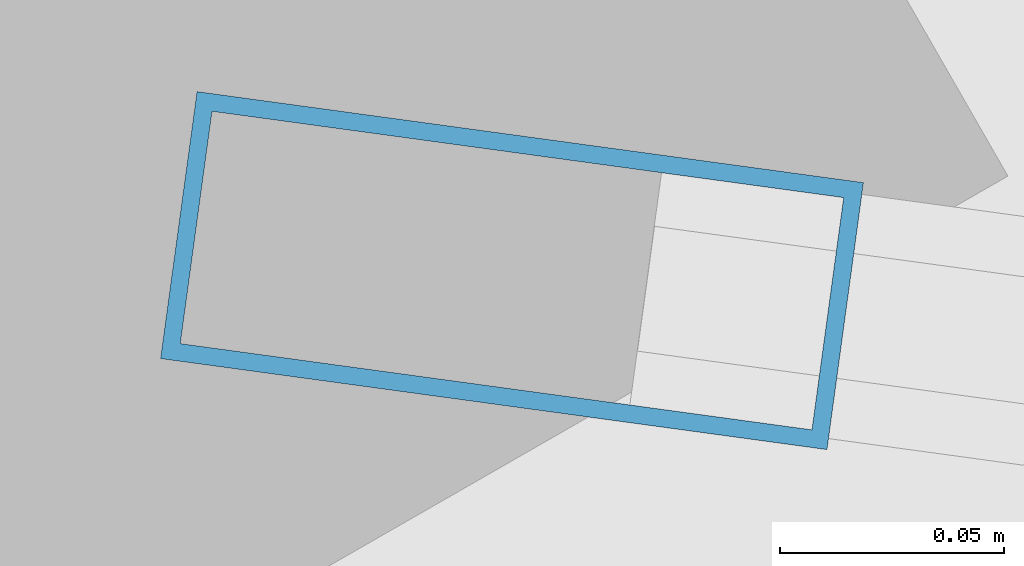
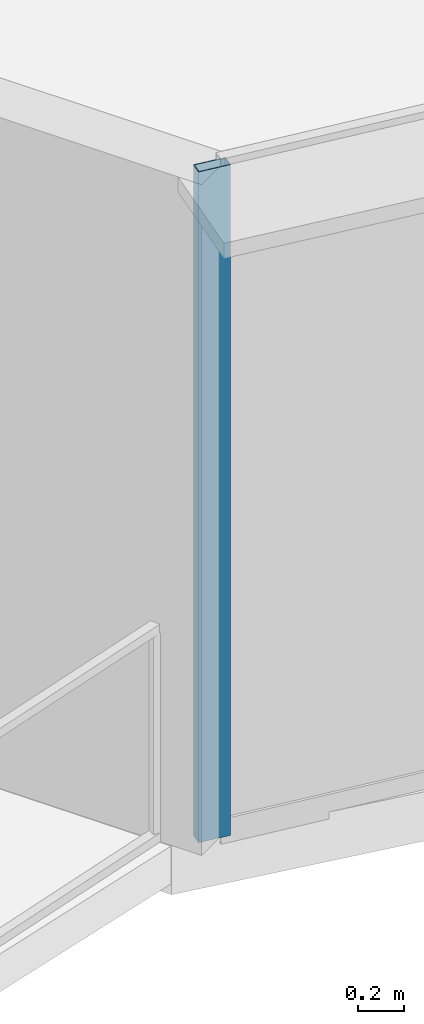
# One storey, part 2 of 37: 1 member, 1 element without a shape of its own.
"""IFC4 building model written with IfcOpenShell, lengths in metres."""

from ifc_helpers import new_model, si_unit, direction, frame, origin, origin_2d, place, context, subcontext, project, spatial, hollow_rectangle, extrude, source, transform, mapped, material, layer, layer_set, material_profile, profile_set, type_object, element, aggregate, save


model = new_model("IFC4")

# Units and contexts
model_context = context("Model", 3, precision=1e-05, world=origin(), true_north=direction((0.0, 1.0)))
body_context = subcontext(model_context, "Body", "Model", "MODEL_VIEW")
ifc_project = project(units=[si_unit("LENGTHUNIT", "METRE"), si_unit("AREAUNIT", "SQUARE_METRE"), si_unit("VOLUMEUNIT", "CUBIC_METRE"), si_unit("PLANEANGLEUNIT", "RADIAN"), si_unit("MASSUNIT", "GRAM", prefix="KILO"), si_unit("THERMODYNAMICTEMPERATUREUNIT", "KELVIN"), si_unit("POWERUNIT", "WATT")], contexts=[model_context])

# Site, building, storey
site_placement = place(None, origin())
site = spatial("IfcSite", under=ifc_project, at=site_placement, CompositionType="ELEMENT")
building_placement = place(site_placement, origin())
building = spatial("IfcBuilding", under=site, at=building_placement, Name="Yunzhuo Pagoda Commons", CompositionType="ELEMENT")
storey_placement = place(building_placement, frame((0.0, 0.0, 199.9599609375)))
storey = spatial("IfcBuildingStorey", under=building, at=storey_placement, Name="L50", CompositionType="ELEMENT", Elevation=199.9599609375)

# Curtain wall, member
ifc_material = material(Name="Anodized aluminium 6063-T6", Category="aluminium")
ifc_layer = layer(ifc_material, 0.14990234375)
ifc_layer_set = layer_set([ifc_layer], Name="Anodized aluminium 6063-T6")
curtain_wall_type = type_object("IfcCurtainWallType", Name="CW-MID Mid-Zone Ribbon Curtain Wall", PredefinedType="NOTDEFINED", material=ifc_layer_set)
curtain_wall_placement = place(storey_placement, origin())
curtain_wall = element("IfcCurtainWall", 1, at=curtain_wall_placement, inside=storey, type_object=curtain_wall_type, Name="L50 curtain wall CW-L50-F1B1", PredefinedType="NOTDEFINED")
ifc_material_profile = material_profile(ifc_material, hollow_rectangle(XDim=0.06005859375, YDim=0.14990234375, WallThickness=0.00390625, at=origin_2d()), Name="Anodized aluminium 6063-T6")
ifc_profile_set = profile_set([ifc_material_profile], Name="Anodized aluminium 6063-T6")
member_type = type_object("IfcMemberType", Name="CW-MID-M Mullion RHS 150x60x4", PredefinedType="MULLION", material=ifc_profile_set)
shared_shape = source(origin(), body_context, "Body", "SweptSolid", [
    extrude(hollow_rectangle(XDim=0.06005859375, YDim=0.14990234375, WallThickness=0.00390625, at=origin_2d()), origin(), (0.0, 0.0, 1.0), 3.5400390625),
])
member_placement = place(storey_placement, frame((13.8623046875, 17.32861328125, 0.0), z_axis=(0.0, 0.0, 1.0), x_axis=(0.135312015534, 0.990803037163, 0.0)))
member = element("IfcMember", 2, at=member_placement, type_object=member_type, Name="CW mullion 1", PredefinedType="MULLION", context=body_context, shape_type="MappedRepresentation", body=[
    mapped(shared_shape, transform((0.0, 0.0, 0.0), scale=1.0)),
])
aggregate(curtain_wall, [member])

save(model, "model.ifc")
